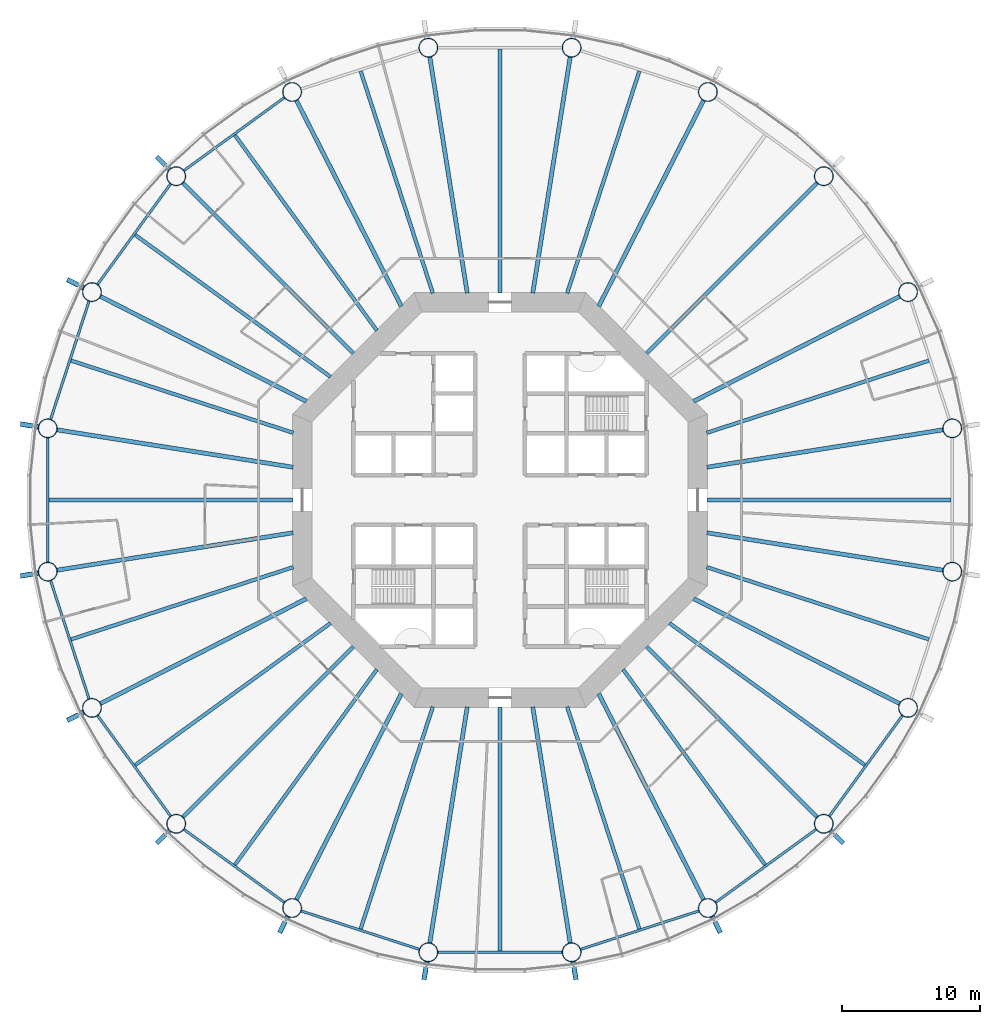
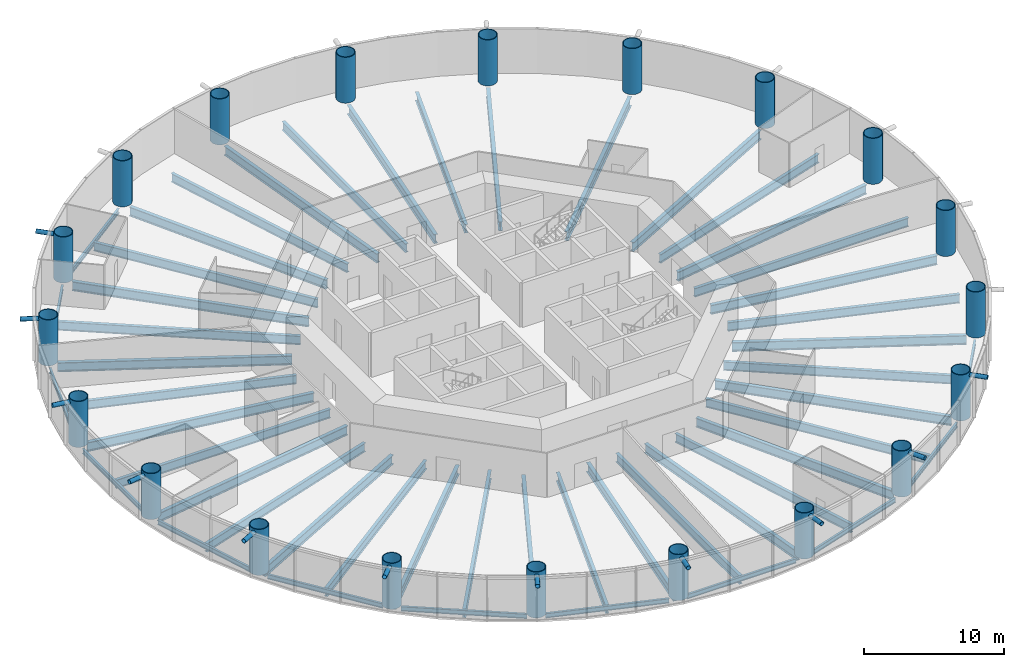
# One storey, part 1 of 12: 50 beams, 20 columns, 11 members.
"""IFC4 building model written with IfcOpenShell, lengths in metres."""

from ifc_helpers import new_model, si_unit, direction, frame, origin, origin_2d, place, context, subcontext, project, spatial, circle, hollow_circle, i_section, extrude, material, material_profile, profile_set, type_object, element, save


model = new_model("IFC4")

# Units and contexts
model_context = context("Model", 3, precision=1e-05, world=origin(), true_north=direction((0.0, 1.0)))
body_context = subcontext(model_context, "Body", "Model", "MODEL_VIEW")
ifc_project = project(units=[si_unit("LENGTHUNIT", "METRE"), si_unit("AREAUNIT", "SQUARE_METRE"), si_unit("VOLUMEUNIT", "CUBIC_METRE"), si_unit("PLANEANGLEUNIT", "RADIAN"), si_unit("MASSUNIT", "GRAM", prefix="KILO")], contexts=[model_context])

# Site, building, storey
site_placement = place(None, origin())
site = spatial("IfcSite", under=ifc_project, at=site_placement, CompositionType="ELEMENT")
building_placement = place(site_placement, origin())
building = spatial("IfcBuilding", under=site, at=building_placement, Name="Entoto Ring Tower", CompositionType="ELEMENT")
storey_placement = place(building_placement, frame((0.0, 0.0, 70.0)))
storey = spatial("IfcBuildingStorey", under=building, at=storey_placement, Name="L15", CompositionType="ELEMENT", Elevation=70.0)

# Columns
ifc_material_1 = material(Name="Steel S355", Category="steel")
ifc_material_profile_1 = material_profile(ifc_material_1, hollow_circle(Radius=0.699951171875, WallThickness=0.06005859375, at=origin_2d()), Name="CHS 1400 x 60")
ifc_material_2 = material(Name="Concrete C60/75", Category="concrete")
ifc_material_profile_2 = material_profile(ifc_material_2, circle(Radius=0.639892578125, at=origin_2d()), Name="Concrete C60/75 infill")
ifc_profile_set_1 = profile_set([ifc_material_profile_1, ifc_material_profile_2], Name="Steel S355")
column_type = type_object("IfcColumnType", Name="Ring column 1400 x 60 concrete-filled tube", PredefinedType="COLUMN", material=ifc_profile_set_1)
for number, where, z_axis, x_axis, name in (
    (1, (122.6923828125, 85.177978515625, 0.0), (0.0, 0.0, 1.0), (1.0, 0.0, 0.0), "RC1 R01"),
    (2, (119.492431640625, 95.027099609375, 0.0), (0.0, 0.0, 1.0), (1.0, 0.0, 0.0), "RC1 R02"),
    (3, (113.4052734375, 103.4052734375, 0.0), (0.0, 0.0, 1.0), (1.0, 0.0, 0.0), "RC1 R03"),
    (4, (105.027099609375, 109.492431640625, 0.0), (0.0, 0.0, 1.0), (1.0, 0.0, 0.0), "RC1 R04"),
    (5, (95.177978515625, 112.6923828125, 0.0), (0.0, 0.0, 1.0), (1.0, 0.0, 0.0), "RC1 R05"),
    (6, (84.822021484375, 112.6923828125, 0.0), (0.0, 0.0, 1.0), (1.0, 0.0, 0.0), "RC1 R06"),
    (7, (74.972900390625, 109.492431640625, 0.0), (0.0, 0.0, 1.0), (1.0, 0.0, 0.0), "RC1 R07"),
    (8, (66.5947265625, 103.4052734375, 0.0), (0.0, 0.0, 1.0), (1.0, 0.0, 0.0), "RC1 R08"),
    (9, (60.507568359375, 95.027099609375, 0.0), (0.0, 0.0, 1.0), (1.0, 0.0, 0.0), "RC1 R09"),
    (10, (57.3076171875, 85.177978515625, 0.0), (0.0, 0.0, 1.0), (1.0, 0.0, 0.0), "RC1 R10"),
    (11, (57.3076171875, 74.822021484375, 0.0), (0.0, 0.0, 1.0), (1.0, 0.0, 0.0), "RC1 R11"),
    (12, (60.507568359375, 64.972900390625, 0.0), (0.0, 0.0, 1.0), (1.0, 0.0, 0.0), "RC1 R12"),
    (13, (66.5947265625, 56.5947265625, 0.0), (0.0, 0.0, 1.0), (1.0, 0.0, 0.0), "RC1 R13"),
    (14, (74.972900390625, 50.507568359375, 0.0), (0.0, 0.0, 1.0), (1.0, 0.0, 0.0), "RC1 R14"),
    (15, (84.822021484375, 47.3076171875, 0.0), (0.0, 0.0, 1.0), (1.0, 0.0, 0.0), "RC1 R15"),
    (16, (95.177978515625, 47.3076171875, 0.0), (0.0, 0.0, 1.0), (1.0, 0.0, 0.0), "RC1 R16"),
    (17, (105.027099609375, 50.507568359375, 0.0), (0.0, 0.0, 1.0), (1.0, 0.0, 0.0), "RC1 R17"),
    (18, (113.4052734375, 56.5947265625, 0.0), (0.0, 0.0, 1.0), (1.0, 0.0, 0.0), "RC1 R18"),
    (19, (119.492431640625, 64.972900390625, 0.0), (0.0, 0.0, 1.0), (1.0, 0.0, 0.0), "RC1 R19"),
    (20, (122.6923828125, 74.822021484375, 0.0), (0.0, 0.0, 1.0), (1.0, 0.0, 0.0), "RC1 R20"),
):
    element("IfcColumn", number, at=place(storey_placement, frame(where, z_axis=z_axis, x_axis=x_axis)), inside=storey, type_object=column_type, Name=name, PredefinedType="COLUMN", context=body_context, shape_type="SweptSolid", body=[
        extrude(hollow_circle(Radius=0.699951171875, WallThickness=0.06005859375, at=origin_2d()), origin(), (0.0, 0.0, 1.0), 4.0),
    ])

# Members
ifc_material_3 = material(Name="Steel S355", Category="steel")
ifc_material_profile_3 = material_profile(ifc_material_3, hollow_circle(Radius=0.177734375, WallThickness=0.01611328125, at=origin_2d()), Name="CHS 355.6 x 16")
ifc_material_4 = material(Name="Concrete C60/75", Category="concrete")
ifc_material_profile_4 = material_profile(ifc_material_4, circle(Radius=0.161865234375, at=origin_2d()), Name="Concrete C60/75 infill")
ifc_profile_set_2 = profile_set([ifc_material_profile_3, ifc_material_profile_4], Name="Steel S355")
member_type = type_object("IfcMemberType", Name="Diagrid node strut 355.6 x 16", PredefinedType="STRUT", material=ifc_profile_set_2)
member_1_placement = place(storey_placement, frame((66.130126953125, 103.869873046875, 3.672119140625), z_axis=(-0.707106781187, 0.707106781187, 0.0), x_axis=(-0.707106781187, -0.707106781187, 0.0)))
element("IfcMember", 21, at=member_1_placement, inside=storey, type_object=member_type, Name="DS1 strut ring 4 08", PredefinedType="STRUT", context=body_context, shape_type="SweptSolid", body=[
    extrude(hollow_circle(Radius=0.177734375, WallThickness=0.01611328125, at=origin_2d()), origin(), (0.0, 0.0, 1.0), 1.3427734375),
])
member_2_placement = place(storey_placement, frame((59.92236328125, 95.325439453125, 3.672119140625), z_axis=(-0.891057529727, 0.453890381829, 0.0), x_axis=(-0.453890381829, -0.891057529727, 0.0)))
element("IfcMember", 22, at=member_2_placement, inside=storey, type_object=member_type, Name="DS1 strut ring 4 09", PredefinedType="STRUT", context=body_context, shape_type="SweptSolid", body=[
    extrude(hollow_circle(Radius=0.177734375, WallThickness=0.01611328125, at=origin_2d()), origin(), (0.0, 0.0, 1.0), 1.343017578125),
])
for number, where, z_axis, x_axis, name in (
    (23, (56.65869140625, 85.28076171875, 3.672119140625), (-0.987678819889, 0.156494564579, 0.0), (-0.156494564579, -0.987678819889, 0.0), "DS1 strut ring 4 10"),
    (24, (56.65869140625, 74.71923828125, 3.672119140625), (-0.987678819889, -0.156494564579, 0.0), (0.156494564579, -0.987678819889, 0.0), "DS1 strut ring 4 11"),
):
    element("IfcMember", number, at=place(storey_placement, frame(where, z_axis=z_axis, x_axis=x_axis)), inside=storey, type_object=member_type, Name=name, PredefinedType="STRUT", context=body_context, shape_type="SweptSolid", body=[
        extrude(hollow_circle(Radius=0.177734375, WallThickness=0.01611328125, at=origin_2d()), origin(), (0.0, 0.0, 1.0), 1.34326171875),
    ])
member_3_placement = place(storey_placement, frame((59.92236328125, 64.674560546875, 3.672119140625), z_axis=(-0.891057529727, -0.453890381829, 0.0), x_axis=(0.453890381829, -0.891057529727, 0.0)))
element("IfcMember", 25, at=member_3_placement, inside=storey, type_object=member_type, Name="DS1 strut ring 4 12", PredefinedType="STRUT", context=body_context, shape_type="SweptSolid", body=[
    extrude(hollow_circle(Radius=0.177734375, WallThickness=0.01611328125, at=origin_2d()), origin(), (0.0, 0.0, 1.0), 1.343017578125),
])
member_4_placement = place(storey_placement, frame((66.130126953125, 56.130126953125, 3.672119140625), z_axis=(-0.707106781187, -0.707106781187, 0.0), x_axis=(0.707106781187, -0.707106781187, 0.0)))
element("IfcMember", 26, at=member_4_placement, inside=storey, type_object=member_type, Name="DS1 strut ring 4 13", PredefinedType="STRUT", context=body_context, shape_type="SweptSolid", body=[
    extrude(hollow_circle(Radius=0.177734375, WallThickness=0.01611328125, at=origin_2d()), origin(), (0.0, 0.0, 1.0), 1.3427734375),
])
member_5_placement = place(storey_placement, frame((74.674560546875, 49.92236328125, 3.672119140625), z_axis=(-0.453890381829, -0.891057529727, 0.0), x_axis=(0.891057529727, -0.453890381829, 0.0)))
element("IfcMember", 27, at=member_5_placement, inside=storey, type_object=member_type, Name="DS1 strut ring 4 14", PredefinedType="STRUT", context=body_context, shape_type="SweptSolid", body=[
    extrude(hollow_circle(Radius=0.177734375, WallThickness=0.01611328125, at=origin_2d()), origin(), (0.0, 0.0, 1.0), 1.343017578125),
])
for number, where, z_axis, x_axis, name in (
    (28, (84.71923828125, 46.65869140625, 3.672119140625), (-0.156494564579, -0.987678819889, 0.0), (0.987678819889, -0.156494564579, 0.0), "DS1 strut ring 4 15"),
    (29, (95.28076171875, 46.65869140625, 3.672119140625), (0.156494564579, -0.987678819889, 0.0), (0.987678819889, 0.156494564579, 0.0), "DS1 strut ring 4 16"),
):
    element("IfcMember", number, at=place(storey_placement, frame(where, z_axis=z_axis, x_axis=x_axis)), inside=storey, type_object=member_type, Name=name, PredefinedType="STRUT", context=body_context, shape_type="SweptSolid", body=[
        extrude(hollow_circle(Radius=0.177734375, WallThickness=0.01611328125, at=origin_2d()), origin(), (0.0, 0.0, 1.0), 1.34326171875),
    ])
member_6_placement = place(storey_placement, frame((105.325439453125, 49.92236328125, 3.672119140625), z_axis=(0.453890381829, -0.891057529727, 0.0), x_axis=(0.891057529727, 0.453890381829, 0.0)))
element("IfcMember", 30, at=member_6_placement, inside=storey, type_object=member_type, Name="DS1 strut ring 4 17", PredefinedType="STRUT", context=body_context, shape_type="SweptSolid", body=[
    extrude(hollow_circle(Radius=0.177734375, WallThickness=0.01611328125, at=origin_2d()), origin(), (0.0, 0.0, 1.0), 1.343017578125),
])
member_7_placement = place(storey_placement, frame((113.869873046875, 56.130126953125, 3.672119140625), z_axis=(0.707106781187, -0.707106781187, 0.0), x_axis=(0.707106781187, 0.707106781187, 0.0)))
element("IfcMember", 31, at=member_7_placement, inside=storey, type_object=member_type, Name="DS1 strut ring 4 18", PredefinedType="STRUT", context=body_context, shape_type="SweptSolid", body=[
    extrude(hollow_circle(Radius=0.177734375, WallThickness=0.01611328125, at=origin_2d()), origin(), (0.0, 0.0, 1.0), 1.3427734375),
])

# Beams
ifc_material_5 = material(Name="Steel S355", Category="steel")
ifc_material_profile_5 = material_profile(ifc_material_5, i_section(OverallWidth=0.179931640625, OverallDepth=0.39990234375, WebThickness=0.008544921875, FlangeThickness=0.013427734375, FilletRadius=0.02099609375, at=origin_2d()), Name="IPE 400")
ifc_profile_set_3 = profile_set([ifc_material_profile_5], Name="Steel S355")
beam_type_1 = type_object("IfcBeamType", Name="Edge beam IPE 400", PredefinedType="SPANDREL", material=ifc_profile_set_3)
for number, where, z_axis, x_axis, name in (
    (32, (74.427490234375, 109.09619140625, -0.35009765625), (-0.80901142547, -0.587792917156, 0.0), (0.587792917156, -0.80901142547, 0.0), "Edge beam L15 07"),
    (33, (66.198486328125, 102.85986328125, -0.35009765625), (-0.587792917156, -0.80901142547, 0.0), (0.80901142547, -0.587792917156, 0.0), "Edge beam L15 08"),
    (34, (60.29931640625, 94.385986328125, -0.35009765625), (-0.309006400295, -0.951059958455, 0.0), (0.951059958455, -0.309006400295, 0.0), "Edge beam L15 09"),
    (35, (57.3076171875, 84.50390625, -0.35009765625), (0.0, -1.0, 0.0), (1.0, 0.0, 0.0), "Edge beam L15 10"),
    (36, (57.515869140625, 74.180908203125, -0.35009765625), (0.309006400295, -0.951059958455, 0.0), (0.951059958455, 0.309006400295, 0.0), "Edge beam L15 11"),
    (37, (60.90380859375, 64.427490234375, -0.35009765625), (0.587792917156, -0.80901142547, 0.0), (0.80901142547, 0.587792917156, 0.0), "Edge beam L15 12"),
    (38, (67.14013671875, 56.198486328125, -0.35009765625), (0.80901142547, -0.587792917156, 0.0), (0.587792917156, 0.80901142547, 0.0), "Edge beam L15 13"),
    (39, (75.614013671875, 50.29931640625, -0.35009765625), (0.951059958455, -0.309006400295, 0.0), (0.309006400295, 0.951059958455, 0.0), "Edge beam L15 14"),
    (40, (85.49609375, 47.3076171875, -0.35009765625), (1.0, 0.0, 0.0), (0.0, 1.0, 0.0), "Edge beam L15 15"),
    (41, (95.819091796875, 47.515869140625, -0.35009765625), (0.951059958455, 0.309006400295, 0.0), (-0.309006400295, 0.951059958455, 0.0), "Edge beam L15 16"),
    (42, (105.572509765625, 50.90380859375, -0.35009765625), (0.80901142547, 0.587792917156, 0.0), (-0.587792917156, 0.80901142547, 0.0), "Edge beam L15 17"),
    (43, (113.801513671875, 57.14013671875, -0.35009765625), (0.587792917156, 0.80901142547, 0.0), (-0.80901142547, 0.587792917156, 0.0), "Edge beam L15 18"),
):
    element("IfcBeam", number, at=place(storey_placement, frame(where, z_axis=z_axis, x_axis=x_axis)), inside=storey, type_object=beam_type_1, Name=name, PredefinedType="SPANDREL", context=body_context, shape_type="SweptSolid", body=[
        extrude(i_section(OverallWidth=0.179931640625, OverallDepth=0.39990234375, WebThickness=0.008544921875, FlangeThickness=0.013427734375, FilletRadius=0.02099609375, at=origin_2d()), origin(), (0.0, 0.0, 1.0), 9.0078125),
    ])
ifc_material_6 = material(Name="Steel S355", Category="steel")
ifc_material_profile_6 = material_profile(ifc_material_6, i_section(OverallWidth=0.300048828125, OverallDepth=0.800048828125, WebThickness=0.017578125, FlangeThickness=0.032958984375, FilletRadius=0.030029296875, at=origin_2d()), Name="HE 800 B")
ifc_profile_set_4 = profile_set([ifc_material_profile_6], Name="Steel S355")
beam_type_2 = type_object("IfcBeamType", Name="Primary floor beam HE 800 B", PredefinedType="BEAM", material=ifc_profile_set_4)
beam_1_placement = place(storey_placement, frame((104.956787109375, 82.368896484375, -0.550048828125), z_axis=(0.98768775999, 0.156438130794, 0.0), x_axis=(-0.156438130794, 0.98768775999, 0.0)))
element("IfcBeam", 44, at=beam_1_placement, inside=storey, type_object=beam_type_2, Name="Primary L15 R01", PredefinedType="BEAM", context=body_context, shape_type="SweptSolid", body=[
    extrude(i_section(OverallWidth=0.300048828125, OverallDepth=0.800048828125, WebThickness=0.017578125, FlangeThickness=0.032958984375, FilletRadius=0.030029296875, at=origin_2d()), origin(), (0.0, 0.0, 1.0), 17.293212890625),
])
beam_2_placement = place(storey_placement, frame((103.99169921875, 87.129150390625, -0.550048828125), z_axis=(0.891007761657, 0.453988071063, 0.0), x_axis=(-0.453988071063, 0.891007761657, 0.0)))
element("IfcBeam", 45, at=beam_2_placement, inside=storey, type_object=beam_type_2, Name="Primary L15 R02", PredefinedType="BEAM", context=body_context, shape_type="SweptSolid", body=[
    extrude(i_section(OverallWidth=0.300048828125, OverallDepth=0.800048828125, WebThickness=0.017578125, FlangeThickness=0.032958984375, FilletRadius=0.030029296875, at=origin_2d()), origin(), (0.0, 0.0, 1.0), 16.733154296875),
])
beam_3_placement = place(storey_placement, frame((100.592529296875, 90.592529296875, -0.550048828125), z_axis=(0.707106781187, 0.707106781187, 0.0), x_axis=(-0.707106781187, 0.707106781187, 0.0)))
element("IfcBeam", 46, at=beam_3_placement, inside=storey, type_object=beam_type_2, Name="Primary L15 R03", PredefinedType="BEAM", context=body_context, shape_type="SweptSolid", body=[
    extrude(i_section(OverallWidth=0.300048828125, OverallDepth=0.800048828125, WebThickness=0.017578125, FlangeThickness=0.032958984375, FilletRadius=0.030029296875, at=origin_2d()), origin(), (0.0, 0.0, 1.0), 17.456298828125),
])
beam_4_placement = place(storey_placement, frame((97.129150390625, 93.99169921875, -0.550048828125), z_axis=(0.453988071063, 0.891007761657, 0.0), x_axis=(-0.891007761657, 0.453988071063, 0.0)))
element("IfcBeam", 47, at=beam_4_placement, inside=storey, type_object=beam_type_2, Name="Primary L15 R04", PredefinedType="BEAM", context=body_context, shape_type="SweptSolid", body=[
    extrude(i_section(OverallWidth=0.300048828125, OverallDepth=0.800048828125, WebThickness=0.017578125, FlangeThickness=0.032958984375, FilletRadius=0.030029296875, at=origin_2d()), origin(), (0.0, 0.0, 1.0), 16.733154296875),
])
for number, where, z_axis, x_axis, name in (
    (48, (92.368896484375, 94.956787109375, -0.550048828125), (0.156438130794, 0.98768775999, 0.0), (-0.98768775999, 0.156438130794, 0.0), "Primary L15 R05"),
    (49, (87.631103515625, 94.956787109375, -0.550048828125), (-0.156438130794, 0.98768775999, 0.0), (-0.98768775999, -0.156438130794, 0.0), "Primary L15 R06"),
):
    element("IfcBeam", number, at=place(storey_placement, frame(where, z_axis=z_axis, x_axis=x_axis)), inside=storey, type_object=beam_type_2, Name=name, PredefinedType="BEAM", context=body_context, shape_type="SweptSolid", body=[
        extrude(i_section(OverallWidth=0.300048828125, OverallDepth=0.800048828125, WebThickness=0.017578125, FlangeThickness=0.032958984375, FilletRadius=0.030029296875, at=origin_2d()), origin(), (0.0, 0.0, 1.0), 17.293212890625),
    ])
beam_5_placement = place(storey_placement, frame((82.870849609375, 93.99169921875, -0.550048828125), z_axis=(-0.453988071063, 0.891007761657, 0.0), x_axis=(-0.891007761657, -0.453988071063, 0.0)))
element("IfcBeam", 50, at=beam_5_placement, inside=storey, type_object=beam_type_2, Name="Primary L15 R07", PredefinedType="BEAM", context=body_context, shape_type="SweptSolid", body=[
    extrude(i_section(OverallWidth=0.300048828125, OverallDepth=0.800048828125, WebThickness=0.017578125, FlangeThickness=0.032958984375, FilletRadius=0.030029296875, at=origin_2d()), origin(), (0.0, 0.0, 1.0), 16.733154296875),
])
beam_6_placement = place(storey_placement, frame((79.407470703125, 90.592529296875, -0.550048828125), z_axis=(-0.707106781187, 0.707106781187, 0.0), x_axis=(-0.707106781187, -0.707106781187, 0.0)))
element("IfcBeam", 51, at=beam_6_placement, inside=storey, type_object=beam_type_2, Name="Primary L15 R08", PredefinedType="BEAM", context=body_context, shape_type="SweptSolid", body=[
    extrude(i_section(OverallWidth=0.300048828125, OverallDepth=0.800048828125, WebThickness=0.017578125, FlangeThickness=0.032958984375, FilletRadius=0.030029296875, at=origin_2d()), origin(), (0.0, 0.0, 1.0), 17.456298828125),
])
beam_7_placement = place(storey_placement, frame((76.00830078125, 87.129150390625, -0.550048828125), z_axis=(-0.891007761657, 0.453988071063, 0.0), x_axis=(-0.453988071063, -0.891007761657, 0.0)))
element("IfcBeam", 52, at=beam_7_placement, inside=storey, type_object=beam_type_2, Name="Primary L15 R09", PredefinedType="BEAM", context=body_context, shape_type="SweptSolid", body=[
    extrude(i_section(OverallWidth=0.300048828125, OverallDepth=0.800048828125, WebThickness=0.017578125, FlangeThickness=0.032958984375, FilletRadius=0.030029296875, at=origin_2d()), origin(), (0.0, 0.0, 1.0), 16.733154296875),
])
for number, where, z_axis, x_axis, name in (
    (53, (75.043212890625, 82.368896484375, -0.550048828125), (-0.98768775999, 0.156438130794, 0.0), (-0.156438130794, -0.98768775999, 0.0), "Primary L15 R10"),
    (54, (75.043212890625, 77.631103515625, -0.550048828125), (-0.98768775999, -0.156438130794, 0.0), (0.156438130794, -0.98768775999, 0.0), "Primary L15 R11"),
):
    element("IfcBeam", number, at=place(storey_placement, frame(where, z_axis=z_axis, x_axis=x_axis)), inside=storey, type_object=beam_type_2, Name=name, PredefinedType="BEAM", context=body_context, shape_type="SweptSolid", body=[
        extrude(i_section(OverallWidth=0.300048828125, OverallDepth=0.800048828125, WebThickness=0.017578125, FlangeThickness=0.032958984375, FilletRadius=0.030029296875, at=origin_2d()), origin(), (0.0, 0.0, 1.0), 17.293212890625),
    ])
beam_8_placement = place(storey_placement, frame((76.00830078125, 72.870849609375, -0.550048828125), z_axis=(-0.891007761657, -0.453988071063, 0.0), x_axis=(0.453988071063, -0.891007761657, 0.0)))
element("IfcBeam", 55, at=beam_8_placement, inside=storey, type_object=beam_type_2, Name="Primary L15 R12", PredefinedType="BEAM", context=body_context, shape_type="SweptSolid", body=[
    extrude(i_section(OverallWidth=0.300048828125, OverallDepth=0.800048828125, WebThickness=0.017578125, FlangeThickness=0.032958984375, FilletRadius=0.030029296875, at=origin_2d()), origin(), (0.0, 0.0, 1.0), 16.733154296875),
])
beam_9_placement = place(storey_placement, frame((79.407470703125, 69.407470703125, -0.550048828125), z_axis=(-0.707106781187, -0.707106781187, 0.0), x_axis=(0.707106781187, -0.707106781187, 0.0)))
element("IfcBeam", 56, at=beam_9_placement, inside=storey, type_object=beam_type_2, Name="Primary L15 R13", PredefinedType="BEAM", context=body_context, shape_type="SweptSolid", body=[
    extrude(i_section(OverallWidth=0.300048828125, OverallDepth=0.800048828125, WebThickness=0.017578125, FlangeThickness=0.032958984375, FilletRadius=0.030029296875, at=origin_2d()), origin(), (0.0, 0.0, 1.0), 17.456298828125),
])
beam_10_placement = place(storey_placement, frame((82.870849609375, 66.00830078125, -0.550048828125), z_axis=(-0.453988071063, -0.891007761657, 0.0), x_axis=(0.891007761657, -0.453988071063, 0.0)))
element("IfcBeam", 57, at=beam_10_placement, inside=storey, type_object=beam_type_2, Name="Primary L15 R14", PredefinedType="BEAM", context=body_context, shape_type="SweptSolid", body=[
    extrude(i_section(OverallWidth=0.300048828125, OverallDepth=0.800048828125, WebThickness=0.017578125, FlangeThickness=0.032958984375, FilletRadius=0.030029296875, at=origin_2d()), origin(), (0.0, 0.0, 1.0), 16.733154296875),
])
for number, where, z_axis, x_axis, name in (
    (58, (87.631103515625, 65.043212890625, -0.550048828125), (-0.156438130794, -0.98768775999, 0.0), (0.98768775999, -0.156438130794, 0.0), "Primary L15 R15"),
    (59, (92.368896484375, 65.043212890625, -0.550048828125), (0.156438130794, -0.98768775999, 0.0), (0.98768775999, 0.156438130794, 0.0), "Primary L15 R16"),
):
    element("IfcBeam", number, at=place(storey_placement, frame(where, z_axis=z_axis, x_axis=x_axis)), inside=storey, type_object=beam_type_2, Name=name, PredefinedType="BEAM", context=body_context, shape_type="SweptSolid", body=[
        extrude(i_section(OverallWidth=0.300048828125, OverallDepth=0.800048828125, WebThickness=0.017578125, FlangeThickness=0.032958984375, FilletRadius=0.030029296875, at=origin_2d()), origin(), (0.0, 0.0, 1.0), 17.293212890625),
    ])
beam_11_placement = place(storey_placement, frame((97.129150390625, 66.00830078125, -0.550048828125), z_axis=(0.453988071063, -0.891007761657, 0.0), x_axis=(0.891007761657, 0.453988071063, 0.0)))
element("IfcBeam", 60, at=beam_11_placement, inside=storey, type_object=beam_type_2, Name="Primary L15 R17", PredefinedType="BEAM", context=body_context, shape_type="SweptSolid", body=[
    extrude(i_section(OverallWidth=0.300048828125, OverallDepth=0.800048828125, WebThickness=0.017578125, FlangeThickness=0.032958984375, FilletRadius=0.030029296875, at=origin_2d()), origin(), (0.0, 0.0, 1.0), 16.733154296875),
])
beam_12_placement = place(storey_placement, frame((100.592529296875, 69.407470703125, -0.550048828125), z_axis=(0.707106781187, -0.707106781187, 0.0), x_axis=(0.707106781187, 0.707106781187, 0.0)))
element("IfcBeam", 61, at=beam_12_placement, inside=storey, type_object=beam_type_2, Name="Primary L15 R18", PredefinedType="BEAM", context=body_context, shape_type="SweptSolid", body=[
    extrude(i_section(OverallWidth=0.300048828125, OverallDepth=0.800048828125, WebThickness=0.017578125, FlangeThickness=0.032958984375, FilletRadius=0.030029296875, at=origin_2d()), origin(), (0.0, 0.0, 1.0), 17.456298828125),
])
beam_13_placement = place(storey_placement, frame((103.99169921875, 72.870849609375, -0.550048828125), z_axis=(0.891007761657, -0.453988071063, 0.0), x_axis=(0.453988071063, 0.891007761657, 0.0)))
element("IfcBeam", 62, at=beam_13_placement, inside=storey, type_object=beam_type_2, Name="Primary L15 R19", PredefinedType="BEAM", context=body_context, shape_type="SweptSolid", body=[
    extrude(i_section(OverallWidth=0.300048828125, OverallDepth=0.800048828125, WebThickness=0.017578125, FlangeThickness=0.032958984375, FilletRadius=0.030029296875, at=origin_2d()), origin(), (0.0, 0.0, 1.0), 16.733154296875),
])
beam_14_placement = place(storey_placement, frame((104.956787109375, 77.631103515625, -0.550048828125), z_axis=(0.98768775999, -0.156438130794, 0.0), x_axis=(0.156438130794, 0.98768775999, 0.0)))
element("IfcBeam", 63, at=beam_14_placement, inside=storey, type_object=beam_type_2, Name="Primary L15 R20", PredefinedType="BEAM", context=body_context, shape_type="SweptSolid", body=[
    extrude(i_section(OverallWidth=0.300048828125, OverallDepth=0.800048828125, WebThickness=0.017578125, FlangeThickness=0.032958984375, FilletRadius=0.030029296875, at=origin_2d()), origin(), (0.0, 0.0, 1.0), 17.293212890625),
])
ifc_material_7 = material(Name="Steel S355", Category="steel")
ifc_material_profile_7 = material_profile(ifc_material_7, i_section(OverallWidth=0.262939453125, OverallDepth=0.7529296875, WebThickness=0.011474609375, FlangeThickness=0.01708984375, FilletRadius=0.01708984375, at=origin_2d()), Name="IPE 750 x 137")
ifc_profile_set_5 = profile_set([ifc_material_profile_7], Name="Steel S355")
beam_type_3 = type_object("IfcBeamType", Name="Secondary floor beam IPE 750 x 137", PredefinedType="JOIST", material=ifc_profile_set_5)
for number, where, z_axis, x_axis, name in (
    (64, (104.9404296875, 84.8544921875, -0.526611328125), (0.951057855768, 0.30901287187, 0.0), (-0.30901287187, 0.951057855768, 0.0), "Secondary beam L15 01"),
    (65, (94.8544921875, 94.9404296875, -0.526611328125), (0.30901287187, 0.951057855768, 0.0), (-0.951057855768, 0.30901287187, 0.0), "Secondary beam L15 04"),
):
    element("IfcBeam", number, at=place(storey_placement, frame(where, z_axis=z_axis, x_axis=x_axis)), inside=storey, type_object=beam_type_3, Name=name, PredefinedType="JOIST", context=body_context, shape_type="SweptSolid", body=[
        extrude(i_section(OverallWidth=0.262939453125, OverallDepth=0.7529296875, WebThickness=0.011474609375, FlangeThickness=0.01708984375, FilletRadius=0.01708984375, at=origin_2d()), origin(), (0.0, 0.0, 1.0), 16.893310546875),
    ])
beam_15_placement = place(storey_placement, frame((90.0, 94.97998046875, -0.526611328125), z_axis=(0.0, 1.0, 0.0), x_axis=(-1.0, 0.0, 0.0)))
element("IfcBeam", 66, at=beam_15_placement, inside=storey, type_object=beam_type_3, Name="Secondary beam L15 05", PredefinedType="JOIST", context=body_context, shape_type="SweptSolid", body=[
    extrude(i_section(OverallWidth=0.262939453125, OverallDepth=0.7529296875, WebThickness=0.011474609375, FlangeThickness=0.01708984375, FilletRadius=0.01708984375, at=origin_2d()), origin(), (0.0, 0.0, 1.0), 17.62255859375),
])
beam_16_placement = place(storey_placement, frame((85.1455078125, 94.9404296875, -0.526611328125), z_axis=(-0.30901287187, 0.951057855768, 0.0), x_axis=(-0.951057855768, -0.30901287187, 0.0)))
element("IfcBeam", 67, at=beam_16_placement, inside=storey, type_object=beam_type_3, Name="Secondary beam L15 06", PredefinedType="JOIST", context=body_context, shape_type="SweptSolid", body=[
    extrude(i_section(OverallWidth=0.262939453125, OverallDepth=0.7529296875, WebThickness=0.011474609375, FlangeThickness=0.01708984375, FilletRadius=0.01708984375, at=origin_2d()), origin(), (0.0, 0.0, 1.0), 16.893310546875),
])
for number, where, z_axis, x_axis, name in (
    (68, (81.097412109375, 92.25341796875, -0.526611328125), (-0.58778910532, 0.809014194973, 0.0), (-0.809014194973, -0.58778910532, 0.0), "Secondary beam L15 07"),
    (69, (77.74658203125, 88.902587890625, -0.526611328125), (-0.809014194973, 0.58778910532, 0.0), (-0.58778910532, -0.809014194973, 0.0), "Secondary beam L15 08"),
):
    element("IfcBeam", number, at=place(storey_placement, frame(where, z_axis=z_axis, x_axis=x_axis)), inside=storey, type_object=beam_type_3, Name=name, PredefinedType="JOIST", context=body_context, shape_type="SweptSolid", body=[
        extrude(i_section(OverallWidth=0.262939453125, OverallDepth=0.7529296875, WebThickness=0.011474609375, FlangeThickness=0.01708984375, FilletRadius=0.01708984375, at=origin_2d()), origin(), (0.0, 0.0, 1.0), 17.45654296875),
    ])
beam_17_placement = place(storey_placement, frame((75.0595703125, 84.8544921875, -0.526611328125), z_axis=(-0.951057855768, 0.30901287187, 0.0), x_axis=(-0.30901287187, -0.951057855768, 0.0)))
element("IfcBeam", 70, at=beam_17_placement, inside=storey, type_object=beam_type_3, Name="Secondary beam L15 09", PredefinedType="JOIST", context=body_context, shape_type="SweptSolid", body=[
    extrude(i_section(OverallWidth=0.262939453125, OverallDepth=0.7529296875, WebThickness=0.011474609375, FlangeThickness=0.01708984375, FilletRadius=0.01708984375, at=origin_2d()), origin(), (0.0, 0.0, 1.0), 16.893310546875),
])
beam_18_placement = place(storey_placement, frame((75.02001953125, 80.0, -0.526611328125), z_axis=(-1.0, 0.0, 0.0), x_axis=(0.0, -1.0, 0.0)))
element("IfcBeam", 71, at=beam_18_placement, inside=storey, type_object=beam_type_3, Name="Secondary beam L15 10", PredefinedType="JOIST", context=body_context, shape_type="SweptSolid", body=[
    extrude(i_section(OverallWidth=0.262939453125, OverallDepth=0.7529296875, WebThickness=0.011474609375, FlangeThickness=0.01708984375, FilletRadius=0.01708984375, at=origin_2d()), origin(), (0.0, 0.0, 1.0), 17.62255859375),
])
beam_19_placement = place(storey_placement, frame((75.0595703125, 75.1455078125, -0.526611328125), z_axis=(-0.951057855768, -0.30901287187, 0.0), x_axis=(0.30901287187, -0.951057855768, 0.0)))
element("IfcBeam", 72, at=beam_19_placement, inside=storey, type_object=beam_type_3, Name="Secondary beam L15 11", PredefinedType="JOIST", context=body_context, shape_type="SweptSolid", body=[
    extrude(i_section(OverallWidth=0.262939453125, OverallDepth=0.7529296875, WebThickness=0.011474609375, FlangeThickness=0.01708984375, FilletRadius=0.01708984375, at=origin_2d()), origin(), (0.0, 0.0, 1.0), 16.893310546875),
])
for number, where, z_axis, x_axis, name in (
    (73, (77.74658203125, 71.097412109375, -0.526611328125), (-0.809014194973, -0.58778910532, 0.0), (0.58778910532, -0.809014194973, 0.0), "Secondary beam L15 12"),
    (74, (81.097412109375, 67.74658203125, -0.526611328125), (-0.58778910532, -0.809014194973, 0.0), (0.809014194973, -0.58778910532, 0.0), "Secondary beam L15 13"),
):
    element("IfcBeam", number, at=place(storey_placement, frame(where, z_axis=z_axis, x_axis=x_axis)), inside=storey, type_object=beam_type_3, Name=name, PredefinedType="JOIST", context=body_context, shape_type="SweptSolid", body=[
        extrude(i_section(OverallWidth=0.262939453125, OverallDepth=0.7529296875, WebThickness=0.011474609375, FlangeThickness=0.01708984375, FilletRadius=0.01708984375, at=origin_2d()), origin(), (0.0, 0.0, 1.0), 17.45654296875),
    ])
beam_20_placement = place(storey_placement, frame((85.1455078125, 65.0595703125, -0.526611328125), z_axis=(-0.30901287187, -0.951057855768, 0.0), x_axis=(0.951057855768, -0.30901287187, 0.0)))
element("IfcBeam", 75, at=beam_20_placement, inside=storey, type_object=beam_type_3, Name="Secondary beam L15 14", PredefinedType="JOIST", context=body_context, shape_type="SweptSolid", body=[
    extrude(i_section(OverallWidth=0.262939453125, OverallDepth=0.7529296875, WebThickness=0.011474609375, FlangeThickness=0.01708984375, FilletRadius=0.01708984375, at=origin_2d()), origin(), (0.0, 0.0, 1.0), 16.893310546875),
])
beam_21_placement = place(storey_placement, frame((90.0, 65.02001953125, -0.526611328125), z_axis=(0.0, -1.0, 0.0), x_axis=(1.0, 0.0, 0.0)))
element("IfcBeam", 76, at=beam_21_placement, inside=storey, type_object=beam_type_3, Name="Secondary beam L15 15", PredefinedType="JOIST", context=body_context, shape_type="SweptSolid", body=[
    extrude(i_section(OverallWidth=0.262939453125, OverallDepth=0.7529296875, WebThickness=0.011474609375, FlangeThickness=0.01708984375, FilletRadius=0.01708984375, at=origin_2d()), origin(), (0.0, 0.0, 1.0), 17.62255859375),
])
beam_22_placement = place(storey_placement, frame((94.8544921875, 65.0595703125, -0.526611328125), z_axis=(0.30901287187, -0.951057855768, 0.0), x_axis=(0.951057855768, 0.30901287187, 0.0)))
element("IfcBeam", 77, at=beam_22_placement, inside=storey, type_object=beam_type_3, Name="Secondary beam L15 16", PredefinedType="JOIST", context=body_context, shape_type="SweptSolid", body=[
    extrude(i_section(OverallWidth=0.262939453125, OverallDepth=0.7529296875, WebThickness=0.011474609375, FlangeThickness=0.01708984375, FilletRadius=0.01708984375, at=origin_2d()), origin(), (0.0, 0.0, 1.0), 16.893310546875),
])
for number, where, z_axis, x_axis, name in (
    (78, (98.902587890625, 67.74658203125, -0.526611328125), (0.58778910532, -0.809014194973, 0.0), (0.809014194973, 0.58778910532, 0.0), "Secondary beam L15 17"),
    (79, (102.25341796875, 71.097412109375, -0.526611328125), (0.809014194973, -0.58778910532, 0.0), (0.58778910532, 0.809014194973, 0.0), "Secondary beam L15 18"),
):
    element("IfcBeam", number, at=place(storey_placement, frame(where, z_axis=z_axis, x_axis=x_axis)), inside=storey, type_object=beam_type_3, Name=name, PredefinedType="JOIST", context=body_context, shape_type="SweptSolid", body=[
        extrude(i_section(OverallWidth=0.262939453125, OverallDepth=0.7529296875, WebThickness=0.011474609375, FlangeThickness=0.01708984375, FilletRadius=0.01708984375, at=origin_2d()), origin(), (0.0, 0.0, 1.0), 17.45654296875),
    ])
beam_23_placement = place(storey_placement, frame((104.9404296875, 75.1455078125, -0.526611328125), z_axis=(0.951057855768, -0.30901287187, 0.0), x_axis=(0.30901287187, 0.951057855768, 0.0)))
element("IfcBeam", 80, at=beam_23_placement, inside=storey, type_object=beam_type_3, Name="Secondary beam L15 19", PredefinedType="JOIST", context=body_context, shape_type="SweptSolid", body=[
    extrude(i_section(OverallWidth=0.262939453125, OverallDepth=0.7529296875, WebThickness=0.011474609375, FlangeThickness=0.01708984375, FilletRadius=0.01708984375, at=origin_2d()), origin(), (0.0, 0.0, 1.0), 16.893310546875),
])
beam_24_placement = place(storey_placement, frame((104.97998046875, 80.0, -0.526611328125), z_axis=(1.0, 0.0, 0.0), x_axis=(0.0, 1.0, 0.0)))
element("IfcBeam", 81, at=beam_24_placement, inside=storey, type_object=beam_type_3, Name="Secondary beam L15 20", PredefinedType="JOIST", context=body_context, shape_type="SweptSolid", body=[
    extrude(i_section(OverallWidth=0.262939453125, OverallDepth=0.7529296875, WebThickness=0.011474609375, FlangeThickness=0.01708984375, FilletRadius=0.01708984375, at=origin_2d()), origin(), (0.0, 0.0, 1.0), 17.62255859375),
])

save(model, "model.ifc")
